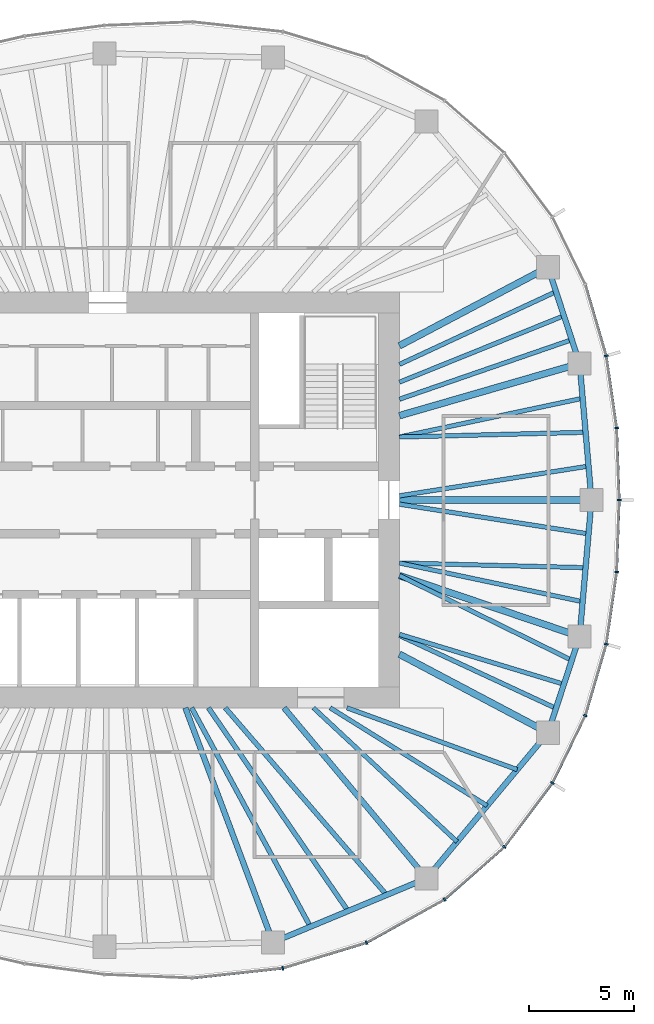
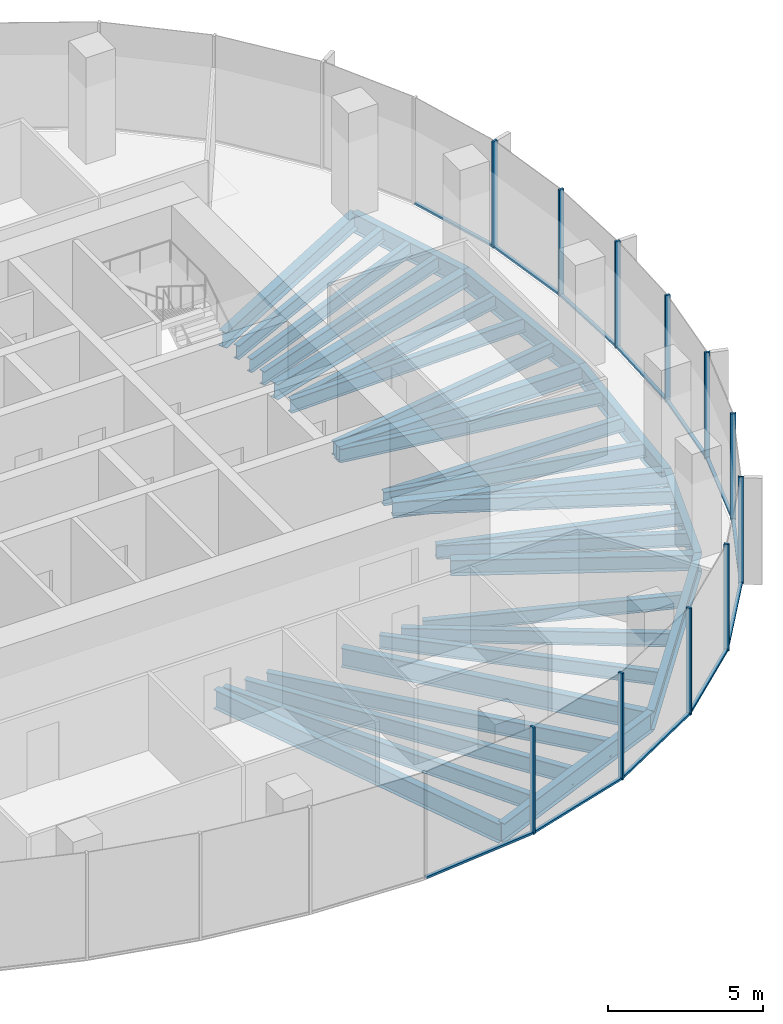
# One storey, part 4 of 11: 31 beams, 23 members, 7 elements without a shape of their own.
"""IFC4 building model written with IfcOpenShell, lengths in metres."""

import ifcopenshell
import ifcopenshell.guid

model = None  # the IFC model being written
_history = None  # IfcOwnerHistory: only IFC2X3 demands one
_inside = {}  # id of a spatial element -> (the spatial element, [elements in it])
_under = {}  # id of a project, library or spatial element -> (it, [spatial elements below it])
_declared = {}  # id of a project -> (the project, [libraries it declares])
_typed = {}  # id of a type object -> (the type object, [elements of that type])
_made_of = {}  # id of a material, layer set ... -> (it, [elements and type objects made of it])


def new_model(schema):
    """Start an empty IFC model of exactly this schema.

    Asked for "IFC4X3", IfcOpenShell would pick the latest addendum, in which some entities
    have other attributes; the version numbers below select the first issue.
    IFC2X3 requires an IfcOwnerHistory on every rooted entity: one is made here for all.
    """
    global model, _history
    if schema == "IFC4X3":
        model = ifcopenshell.file(schema_version=(4, 3, 0, 0))
    else:
        model = ifcopenshell.file(schema=schema)
    _inside.clear()
    _under.clear()
    _declared.clear()
    _typed.clear()
    _made_of.clear()
    _history = None
    if model.schema == "IFC2X3":
        org = make("IfcOrganization", Name="unknown")
        user = make(
            "IfcPersonAndOrganization",
            ThePerson=make("IfcPerson", FamilyName="unknown"),
            TheOrganization=org,
        )
        app = make(
            "IfcApplication",
            ApplicationDeveloper=org,
            Version="unknown",
            ApplicationFullName="unknown",
            ApplicationIdentifier="unknown",
        )
        _history = make(
            "IfcOwnerHistory",
            OwningUser=user,
            OwningApplication=app,
            ChangeAction="ADDED",
            CreationDate=0,
        )
    return model


def make(cls, **values):
    """One entity of the class cls with the attributes given. An attribute that is None is left unset."""
    return model.create_entity(
        cls, **{name: value for name, value in values.items() if value is not None}
    )


def rooted(cls, **values):
    """An entity with a GlobalId (a new one), such as an element, a storey or a relation."""
    return make(cls, GlobalId=ifcopenshell.guid.new(), OwnerHistory=_history, **values)


def si_unit(unit_type, name, prefix=None):
    """IfcSIUnit, for example si_unit("LENGTHUNIT", "METRE", prefix="MILLI")."""
    return make("IfcSIUnit", UnitType=unit_type, Prefix=prefix, Name=name)


def assignment(units):
    """IfcUnitAssignment: the units of a project."""
    return None if units is None else make("IfcUnitAssignment", Units=units)


def point(xyz):
    """IfcCartesianPoint."""
    return None if xyz is None else make("IfcCartesianPoint", Coordinates=xyz)


def direction(xyz):
    """IfcDirection."""
    return None if xyz is None else make("IfcDirection", DirectionRatios=xyz)


def frame(location, z_axis=None, x_axis=None):
    """IfcAxis2Placement3D, a coordinate frame: its origin and axes. An axis left out is left unset."""
    return make(
        "IfcAxis2Placement3D",
        Location=point(location),
        Axis=direction(z_axis),
        RefDirection=direction(x_axis),
    )


def frame_2d(location, x_axis=None):
    """IfcAxis2Placement2D, a coordinate frame in the plane: its origin and x axis."""
    return make(
        "IfcAxis2Placement2D", Location=point(location), RefDirection=direction(x_axis)
    )


def origin():
    """The frame at (0, 0, 0) with its axes left unset."""
    return frame((0.0, 0.0, 0.0))


def origin_2d():
    """The frame at (0, 0) in the plane with its x axis left unset."""
    return frame_2d((0.0, 0.0))


def place(relative_to, where):
    """IfcLocalPlacement: puts the frame where relative to a parent placement (None: the world)."""
    return make(
        "IfcLocalPlacement", PlacementRelTo=relative_to, RelativePlacement=where
    )


def context(
    kind, dimensions, precision=None, world=None, true_north=None, identifier=None
):
    """IfcGeometricRepresentationContext, for example the 3D "Model" context."""
    return make(
        "IfcGeometricRepresentationContext",
        ContextIdentifier=identifier,
        ContextType=kind,
        CoordinateSpaceDimension=dimensions,
        Precision=precision,
        WorldCoordinateSystem=world,
        TrueNorth=true_north,
    )


def subcontext(parent, identifier, kind, view, scale=None):
    """IfcGeometricRepresentationSubContext, for example "Body" below "Model"."""
    return make(
        "IfcGeometricRepresentationSubContext",
        ContextIdentifier=identifier,
        ContextType=kind,
        ParentContext=parent,
        TargetScale=scale,
        TargetView=view,
    )


def project(units=None, contexts=None):
    """IfcProject with its units and contexts."""
    return rooted(
        "IfcProject",
        Name="project",
        RepresentationContexts=contexts,
        UnitsInContext=assignment(units),
    )


def spatial(cls, under=None, at=None, **own):
    """A site, building, storey or space (cls), placed at a placement, below another one or the project."""
    s = rooted(cls, ObjectPlacement=at, **own)
    if under is not None:
        _under.setdefault(under.id(), (under, []))[1].append(s)
    return s


def profile(cls, at=None, kind="AREA", **sizes):
    """A parametric profile (cls). Its sizes go by their IFC names, for example OverallWidth=200.0."""
    return make(cls, ProfileType=kind, Position=at, **sizes)


def rectangle(**sizes):
    """IfcRectangleProfileDef."""
    return profile("IfcRectangleProfileDef", **sizes)


def i_section(**sizes):
    """IfcIShapeProfileDef."""
    return profile("IfcIShapeProfileDef", **sizes)


def extrude(swept, where, along, depth):
    """IfcExtrudedAreaSolid: the profile swept, set in the frame where, extruded along a direction by depth."""
    return make(
        "IfcExtrudedAreaSolid",
        SweptArea=swept,
        Position=where,
        ExtrudedDirection=direction(along),
        Depth=depth,
    )


def shape(context_of_items, identifier, shape_type, items):
    """IfcShapeRepresentation: the items that make up one representation, for example the "Body"."""
    return make(
        "IfcShapeRepresentation",
        ContextOfItems=context_of_items,
        RepresentationIdentifier=identifier,
        RepresentationType=shape_type,
        Items=items,
    )


def material(Name=None, Category=None):
    """IfcMaterial."""
    return make("IfcMaterial", Name=Name, Category=Category)


def material_profile(
    of_material, cross_section, Name=None, Category=None, Priority=None
):
    """IfcMaterialProfile: a cross section and its material."""
    return make(
        "IfcMaterialProfile",
        Name=Name,
        Material=of_material,
        Profile=cross_section,
        Priority=Priority,
        Category=Category,
    )


def profile_set(profiles, Name=None, composite=None):
    """IfcMaterialProfileSet."""
    return make(
        "IfcMaterialProfileSet",
        Name=Name,
        MaterialProfiles=profiles,
        CompositeProfile=composite,
    )


def made_of(thing, what):
    """Note that an element or type object is made of a material, layer set ...; save() writes the relation."""
    if what is not None:
        _made_of.setdefault(what.id(), (what, []))[1].append(thing)
    return thing


def type_object(cls, material=None, **own):
    """A type object (cls), such as IfcWallType, which elements share."""
    return made_of(rooted(cls, **own), material)


def element(
    cls,
    number,
    at=None,
    inside=None,
    cuts=None,
    type_object=None,
    material=None,
    context=None,
    identifier="Body",
    shape_type=None,
    held_by="IfcProductDefinitionShape",
    body=None,
    shapes=None,
    **own,
):
    """One element of the class cls, such as IfcWall. Its Tag is "e" and its number.

    at: its placement. inside: the storey or other place that contains it. cuts: it is an
    opening in that element (IfcRelVoidsElement). A single representation is given by context,
    identifier, shape_type and body (its items); several are given by shapes. held_by: the class
    of the entity that holds the representations. save() writes the other relations.
    """
    e = rooted(cls, Tag="e%d" % number, ObjectPlacement=at, **own)
    if body is not None:
        shapes = [shape(context, identifier, shape_type, body)]
    if shapes is not None:
        e.Representation = make(held_by, Representations=shapes)
    if inside is not None:
        _inside.setdefault(inside.id(), (inside, []))[1].append(e)
    if cuts is not None:
        rooted(
            "IfcRelVoidsElement", RelatingBuildingElement=cuts, RelatedOpeningElement=e
        )
    if type_object is not None:
        _typed.setdefault(type_object.id(), (type_object, []))[1].append(e)
    return made_of(e, material)


def aggregate(whole, parts):
    """IfcRelAggregates: a whole, such as a stair, and the parts it consists of."""
    return rooted("IfcRelAggregates", RelatingObject=whole, RelatedObjects=parts)


def save(model, path):
    """Write the relations noted so far, then the file.

    IfcRelAggregates (storeys below a building ...), IfcRelContainedInSpatialStructure (elements
    in a storey), IfcRelDefinesByType, IfcRelAssociatesMaterial and IfcRelDeclares: one each for
    every whole, place, type object, material and project.
    """
    for whole, parts in _under.values():
        aggregate(whole, parts)
    for where, things in _inside.values():
        rooted(
            "IfcRelContainedInSpatialStructure",
            RelatedElements=things,
            RelatingStructure=where,
        )
    for kind, things in _typed.values():
        rooted("IfcRelDefinesByType", RelatedObjects=things, RelatingType=kind)
    for what, things in _made_of.values():
        rooted("IfcRelAssociatesMaterial", RelatedObjects=things, RelatingMaterial=what)
    for by, libraries in _declared.values():
        rooted("IfcRelDeclares", RelatingContext=by, RelatedDefinitions=libraries)
    model.write(path)


model = new_model("IFC4")

# Units and contexts
model_context = context("Model", 3, precision=1e-05, world=origin(), true_north=direction((0.0, 1.0)))
body_context = subcontext(model_context, "Body", "Model", "MODEL_VIEW")
ifc_project = project(units=[si_unit("LENGTHUNIT", "METRE"), si_unit("AREAUNIT", "SQUARE_METRE"), si_unit("VOLUMEUNIT", "CUBIC_METRE"), si_unit("PLANEANGLEUNIT", "RADIAN"), si_unit("MASSUNIT", "GRAM", prefix="KILO")], contexts=[model_context])

# Site, building, storey
site_placement = place(None, origin())
site = spatial("IfcSite", under=ifc_project, at=site_placement, CompositionType="ELEMENT")
building_placement = place(site_placement, origin())
building = spatial("IfcBuilding", under=site, at=building_placement, Name="Ghaith Harvest Tower", CompositionType="ELEMENT")
storey_placement = place(building_placement, frame((0.0, 0.0, 279.60009765625)))
storey = spatial("IfcBuildingStorey", under=building, at=storey_placement, Name="L62", CompositionType="ELEMENT", Elevation=279.60009765625)

# Curtain wall, members
ifc_material_1 = material(Name="Black anodised aluminium and fritted glass", Category="aluminium")
curtain_wall_type = type_object("IfcCurtainWallType", Name="CW-T CURTAIN WALL", PredefinedType="NOTDEFINED", material=ifc_material_1)
curtain_wall_1_placement = place(storey_placement, origin())
curtain_wall_1 = element("IfcCurtainWall", 1, at=curtain_wall_1_placement, inside=storey, type_object=curtain_wall_type, Name="Curtain wall CW-T bay 01 L62", PredefinedType="NOTDEFINED")
ifc_material_2 = material(Name="Aluminium, black anodised", Category="aluminium")
ifc_material_profile_1 = material_profile(ifc_material_2, rectangle(XDim=0.080078125, YDim=0.179931640625, at=origin_2d()), Name="CW-T MULLION 80x180")
ifc_profile_set_1 = profile_set([ifc_material_profile_1], Name="Aluminium, black anodised")
member_type_1 = type_object("IfcMemberType", Name="CW-T MULLION 80x180", PredefinedType="MULLION", material=ifc_profile_set_1)
member_1_placement = place(storey_placement, frame((24.3701171875, 0.0, 0.0), z_axis=(0.0, 0.0, 1.0), x_axis=(5.2e-11, 1.0, 0.0)))
member_1 = element("IfcMember", 2, at=member_1_placement, type_object=member_type_1, Name="CW-T mullion 1 bay 01 L62", PredefinedType="MULLION", context=body_context, shape_type="SweptSolid", body=[
    extrude(rectangle(XDim=0.080078125, YDim=0.179931640625, at=origin_2d()), origin(), (0.0, 0.0, 1.0), 4.199951171875),
])
member_2_placement = place(storey_placement, frame((24.247802734375, 3.433837890625, 0.0), z_axis=(0.0, 0.0, 1.0), x_axis=(-0.089502202236, 0.995986624305, 0.0)))
member_2 = element("IfcMember", 3, at=member_2_placement, type_object=member_type_1, Name="CW-T mullion 2 bay 01 L62", PredefinedType="MULLION", context=body_context, shape_type="SweptSolid", body=[
    extrude(rectangle(XDim=0.080078125, YDim=0.179931640625, at=origin_2d()), origin(), (0.0, 0.0, 1.0), 4.199951171875),
])

# Curtain wall, member
curtain_wall_2_placement = place(storey_placement, origin())
curtain_wall_2 = element("IfcCurtainWall", 4, at=curtain_wall_2_placement, inside=storey, type_object=curtain_wall_type, Name="Curtain wall CW-T bay 02 L62", PredefinedType="NOTDEFINED")
member_3_placement = place(storey_placement, frame((23.753173828125, 6.865234375, 0.0), z_axis=(0.0, 0.0, 1.0), x_axis=(-0.21340203233, 0.976964468442, 0.0)))
member_3 = element("IfcMember", 5, at=member_3_placement, type_object=member_type_1, Name="CW-T mullion 1 bay 02 L62", PredefinedType="MULLION", context=body_context, shape_type="SweptSolid", body=[
    extrude(rectangle(XDim=0.080078125, YDim=0.179931640625, at=origin_2d()), origin(), (0.0, 0.0, 1.0), 4.199951171875),
])

# Curtain wall, members
curtain_wall_3_placement = place(storey_placement, origin())
curtain_wall_3 = element("IfcCurtainWall", 6, at=curtain_wall_3_placement, inside=storey, type_object=curtain_wall_type, Name="Curtain wall CW-T bay 17 L62", PredefinedType="NOTDEFINED")
member_4_placement = place(storey_placement, frame((8.33984375, -22.308837890625, 0.0), z_axis=(0.0, 0.0, 1.0), x_axis=(0.980000193265, 0.198996535647, 0.0)))
member_4 = element("IfcMember", 7, at=member_4_placement, type_object=member_type_1, Name="CW-T mullion 1 bay 17 L62", PredefinedType="MULLION", context=body_context, shape_type="SweptSolid", body=[
    extrude(rectangle(XDim=0.080078125, YDim=0.179931640625, at=origin_2d()), origin(), (0.0, 0.0, 1.0), 4.199951171875),
])
member_5_placement = place(storey_placement, frame((12.334228515625, -21.091796875, 0.0), z_axis=(0.0, 0.0, 1.0), x_axis=(0.920319269335, 0.391168048914, 0.0)))
member_5 = element("IfcMember", 8, at=member_5_placement, type_object=member_type_1, Name="CW-T mullion 2 bay 17 L62", PredefinedType="MULLION", context=body_context, shape_type="SweptSolid", body=[
    extrude(rectangle(XDim=0.080078125, YDim=0.179931640625, at=origin_2d()), origin(), (0.0, 0.0, 1.0), 4.199951171875),
])

curtain_wall_4_placement = place(storey_placement, origin())
curtain_wall_4 = element("IfcCurtainWall", 9, at=curtain_wall_4_placement, inside=storey, type_object=curtain_wall_type, Name="Curtain wall CW-T bay 18 L62", PredefinedType="NOTDEFINED")
member_6_placement = place(storey_placement, frame((16.04931640625, -19.031982421875, 0.0), z_axis=(0.0, 0.0, 1.0), x_axis=(0.821112053644, 0.570767023715, 0.0)))
member_6 = element("IfcMember", 10, at=member_6_placement, type_object=member_type_1, Name="CW-T mullion 1 bay 18 L62", PredefinedType="MULLION", context=body_context, shape_type="SweptSolid", body=[
    extrude(rectangle(XDim=0.080078125, YDim=0.179931640625, at=origin_2d()), origin(), (0.0, 0.0, 1.0), 4.199951171875),
])
member_7_placement = place(storey_placement, frame((18.901123046875, -16.527099609375, 0.0), z_axis=(0.0, 0.0, 1.0), x_axis=(0.679660897254, 0.733526458108, 0.0)))
member_7 = element("IfcMember", 11, at=member_7_placement, type_object=member_type_1, Name="CW-T mullion 2 bay 18 L62", PredefinedType="MULLION", context=body_context, shape_type="SweptSolid", body=[
    extrude(rectangle(XDim=0.080078125, YDim=0.179931640625, at=origin_2d()), origin(), (0.0, 0.0, 1.0), 4.199951171875),
])

curtain_wall_5_placement = place(storey_placement, origin())
curtain_wall_5 = element("IfcCurtainWall", 12, at=curtain_wall_5_placement, inside=storey, type_object=curtain_wall_type, Name="Curtain wall CW-T bay 19 L62", PredefinedType="NOTDEFINED")
member_8_placement = place(storey_placement, frame((21.18896484375, -13.48486328125, 0.0), z_axis=(0.0, 0.0, 1.0), x_axis=(0.524482238715, 0.85142138878, 0.0)))
member_8 = element("IfcMember", 13, at=member_8_placement, type_object=member_type_1, Name="CW-T mullion 1 bay 19 L62", PredefinedType="MULLION", context=body_context, shape_type="SweptSolid", body=[
    extrude(rectangle(XDim=0.080078125, YDim=0.179931640625, at=origin_2d()), origin(), (0.0, 0.0, 1.0), 4.199951171875),
])
member_9_placement = place(storey_placement, frame((22.754150390625, -10.272216796875, 0.0), z_axis=(0.0, 0.0, 1.0), x_axis=(0.361184273904, 0.932494461262, 0.0)))
member_9 = element("IfcMember", 14, at=member_9_placement, type_object=member_type_1, Name="CW-T mullion 2 bay 19 L62", PredefinedType="MULLION", context=body_context, shape_type="SweptSolid", body=[
    extrude(rectangle(XDim=0.080078125, YDim=0.179931640625, at=origin_2d()), origin(), (0.0, 0.0, 1.0), 4.199951171875),
])

curtain_wall_6_placement = place(storey_placement, origin())
curtain_wall_6 = element("IfcCurtainWall", 15, at=curtain_wall_6_placement, inside=storey, type_object=curtain_wall_type, Name="Curtain wall CW-T bay 20 L62", PredefinedType="NOTDEFINED")
member_10_placement = place(storey_placement, frame((23.753173828125, -6.865234375, 0.0), z_axis=(0.0, 0.0, 1.0), x_axis=(0.213402032501, 0.976964468404, 0.0)))
member_10 = element("IfcMember", 16, at=member_10_placement, type_object=member_type_1, Name="CW-T mullion 1 bay 20 L62", PredefinedType="MULLION", context=body_context, shape_type="SweptSolid", body=[
    extrude(rectangle(XDim=0.080078125, YDim=0.179931640625, at=origin_2d()), origin(), (0.0, 0.0, 1.0), 4.199951171875),
])
member_11_placement = place(storey_placement, frame((24.247802734375, -3.433837890625, 0.0), z_axis=(0.0, 0.0, 1.0), x_axis=(0.089502202305, 0.995986624299, 0.0)))
member_11 = element("IfcMember", 17, at=member_11_placement, type_object=member_type_1, Name="CW-T mullion 2 bay 20 L62", PredefinedType="MULLION", context=body_context, shape_type="SweptSolid", body=[
    extrude(rectangle(XDim=0.080078125, YDim=0.179931640625, at=origin_2d()), origin(), (0.0, 0.0, 1.0), 4.199951171875),
])

# Member
ifc_material_3 = material(Name="Aluminium, black anodised", Category="aluminium")
ifc_material_profile_2 = material_profile(ifc_material_3, rectangle(XDim=0.1201171875, YDim=0.080078125, at=origin_2d()), Name="CW-T TRANSOM 120x80")
ifc_profile_set_2 = profile_set([ifc_material_profile_2], Name="Aluminium, black anodised")
member_type_2 = type_object("IfcMemberType", Name="CW-T TRANSOM 120x80", PredefinedType="USERDEFINED", material=ifc_profile_set_2)
member_12_placement = place(storey_placement, frame((24.36865234375, 0.0400390625, 0.039794921875), z_axis=(-0.035574759537, 0.999367017909, 0.0), x_axis=(-0.999367017909, -0.035574759537, 0.0)))
member_12 = element("IfcMember", 18, at=member_12_placement, type_object=member_type_2, Name="CW-T transom 1 bay 01 L62", ObjectType="TRANSOM", PredefinedType="USERDEFINED", context=body_context, shape_type="SweptSolid", body=[
    extrude(rectangle(XDim=0.1201171875, YDim=0.080078125, at=origin_2d()), origin(), (0.0, 0.0, 1.0), 3.35595703125),
])

member_13_placement = place(storey_placement, frame((24.2421875, 3.473388671875, 0.039794921875), z_axis=(-0.142733224301, 0.989761196795, 0.0), x_axis=(-0.989761196795, -0.142733224301, 0.0)))
member_13 = element("IfcMember", 19, at=member_13_placement, type_object=member_type_2, Name="CW-T transom 2 bay 01 L62", ObjectType="TRANSOM", PredefinedType="USERDEFINED", context=body_context, shape_type="SweptSolid", body=[
    extrude(rectangle(XDim=0.1201171875, YDim=0.080078125, at=origin_2d()), origin(), (0.0, 0.0, 1.0), 3.38671875),
])

aggregate(curtain_wall_1, [member_1, member_12, member_2, member_13])

member_14_placement = place(storey_placement, frame((23.741943359375, 6.903564453125, 0.039794921875), z_axis=(-0.281385475469, 0.95959481772, 0.0), x_axis=(-0.95959481772, -0.281385475469, 0.0)))
member_14 = element("IfcMember", 20, at=member_14_placement, type_object=member_type_2, Name="CW-T transom 1 bay 02 L62", ObjectType="TRANSOM", PredefinedType="USERDEFINED", context=body_context, shape_type="SweptSolid", body=[
    extrude(rectangle(XDim=0.1201171875, YDim=0.080078125, at=origin_2d()), origin(), (0.0, 0.0, 1.0), 3.470458984375),
])

aggregate(curtain_wall_2, [member_3, member_14])

# Curtain wall, member
curtain_wall_7_placement = place(storey_placement, origin())
curtain_wall_7 = element("IfcCurtainWall", 21, at=curtain_wall_7_placement, inside=storey, type_object=curtain_wall_type, Name="Curtain wall CW-T bay 16 L62", PredefinedType="NOTDEFINED")
member_15_placement = place(storey_placement, frame((4.077392578125, -22.772216796875, 0.039794921875), z_axis=(0.994144463069, 0.108059180768, 0.0), x_axis=(-0.108059180768, 0.994144463069, 0.0)))
member_15 = element("IfcMember", 22, at=member_15_placement, type_object=member_type_2, Name="CW-T transom 2 bay 16 L62", ObjectType="TRANSOM", PredefinedType="USERDEFINED", context=body_context, shape_type="SweptSolid", body=[
    extrude(rectangle(XDim=0.1201171875, YDim=0.080078125, at=origin_2d()), origin(), (0.0, 0.0, 1.0), 4.24755859375),
])
aggregate(curtain_wall_7, [member_15])

# Member
member_16_placement = place(storey_placement, frame((8.378173828125, -22.297119140625, 0.039794921875), z_axis=(0.956593713342, 0.291424891858, 0.0), x_axis=(-0.291424891858, 0.956593713342, 0.0)))
member_16 = element("IfcMember", 23, at=member_16_placement, type_object=member_type_2, Name="CW-T transom 1 bay 17 L62", ObjectType="TRANSOM", PredefinedType="USERDEFINED", context=body_context, shape_type="SweptSolid", body=[
    extrude(rectangle(XDim=0.1201171875, YDim=0.080078125, at=origin_2d()), origin(), (0.0, 0.0, 1.0), 4.095703125),
])

member_17_placement = place(storey_placement, frame((12.369384765625, -21.072509765625, 0.039794921875), z_axis=(0.874552130553, 0.484931511603, 0.0), x_axis=(-0.484931511603, 0.874552130553, 0.0)))
member_17 = element("IfcMember", 24, at=member_17_placement, type_object=member_type_2, Name="CW-T transom 2 bay 17 L62", ObjectType="TRANSOM", PredefinedType="USERDEFINED", context=body_context, shape_type="SweptSolid", body=[
    extrude(rectangle(XDim=0.1201171875, YDim=0.080078125, at=origin_2d()), origin(), (0.0, 0.0, 1.0), 4.16748046875),
])

aggregate(curtain_wall_3, [member_4, member_16, member_5, member_17])

member_18_placement = place(storey_placement, frame((16.079345703125, -19.005615234375, 0.039794921875), z_axis=(0.751325799984, 0.659931467865, 0.0), x_axis=(-0.659931467865, 0.751325799984, 0.0)))
member_18 = element("IfcMember", 25, at=member_18_placement, type_object=member_type_2, Name="CW-T transom 1 bay 18 L62", ObjectType="TRANSOM", PredefinedType="USERDEFINED", context=body_context, shape_type="SweptSolid", body=[
    extrude(rectangle(XDim=0.1201171875, YDim=0.080078125, at=origin_2d()), origin(), (0.0, 0.0, 1.0), 3.7158203125),
])

member_19_placement = place(storey_placement, frame((18.925048828125, -16.4951171875, 0.039794921875), z_axis=(0.601079103045, 0.799189534392, 0.0), x_axis=(-0.799189534392, 0.601079103045, 0.0)))
member_19 = element("IfcMember", 26, at=member_19_placement, type_object=member_type_2, Name="CW-T transom 2 bay 18 L62", ObjectType="TRANSOM", PredefinedType="USERDEFINED", context=body_context, shape_type="SweptSolid", body=[
    extrude(rectangle(XDim=0.1201171875, YDim=0.080078125, at=origin_2d()), origin(), (0.0, 0.0, 1.0), 3.7265625),
])

aggregate(curtain_wall_4, [member_6, member_18, member_7, member_19])

member_20_placement = place(storey_placement, frame((21.20654296875, -13.448974609375, 0.039794921875), z_axis=(0.437965078712, 0.898991985408, 0.0), x_axis=(-0.898991985408, 0.437965078712, 0.0)))
member_20 = element("IfcMember", 27, at=member_20_placement, type_object=member_type_2, Name="CW-T transom 1 bay 19 L62", ObjectType="TRANSOM", PredefinedType="USERDEFINED", context=body_context, shape_type="SweptSolid", body=[
    extrude(rectangle(XDim=0.1201171875, YDim=0.080078125, at=origin_2d()), origin(), (0.0, 0.0, 1.0), 3.493408203125),
])

member_21_placement = place(storey_placement, frame((22.765380859375, -10.23388671875, 0.039794921875), z_axis=(0.281385475469, 0.95959481772, 0.0), x_axis=(-0.95959481772, 0.281385475469, 0.0)))
member_21 = element("IfcMember", 28, at=member_21_placement, type_object=member_type_2, Name="CW-T transom 2 bay 19 L62", ObjectType="TRANSOM", PredefinedType="USERDEFINED", context=body_context, shape_type="SweptSolid", body=[
    extrude(rectangle(XDim=0.1201171875, YDim=0.080078125, at=origin_2d()), origin(), (0.0, 0.0, 1.0), 3.470458984375),
])

aggregate(curtain_wall_5, [member_8, member_20, member_9, member_21])

member_22_placement = place(storey_placement, frame((23.7587890625, -6.825439453125, 0.039794921875), z_axis=(0.142733224301, 0.989761196795, 0.0), x_axis=(-0.989761196795, 0.142733224301, 0.0)))
member_22 = element("IfcMember", 29, at=member_22_placement, type_object=member_type_2, Name="CW-T transom 1 bay 20 L62", ObjectType="TRANSOM", PredefinedType="USERDEFINED", context=body_context, shape_type="SweptSolid", body=[
    extrude(rectangle(XDim=0.1201171875, YDim=0.080078125, at=origin_2d()), origin(), (0.0, 0.0, 1.0), 3.38671875),
])

member_23_placement = place(storey_placement, frame((24.249267578125, -3.393798828125, 0.039794921875), z_axis=(0.035574759537, 0.999367017909, 0.0), x_axis=(-0.999367017909, 0.035574759537, 0.0)))
member_23 = element("IfcMember", 30, at=member_23_placement, type_object=member_type_2, Name="CW-T transom 2 bay 20 L62", ObjectType="TRANSOM", PredefinedType="USERDEFINED", context=body_context, shape_type="SweptSolid", body=[
    extrude(rectangle(XDim=0.1201171875, YDim=0.080078125, at=origin_2d()), origin(), (0.0, 0.0, 1.0), 3.35595703125),
])

aggregate(curtain_wall_6, [member_10, member_22, member_11, member_23])

# Beams
ifc_material_4 = material(Name="Steel ASTM A992 Grade 50", Category="steel")
ifc_material_profile_3 = material_profile(ifc_material_4, i_section(OverallWidth=0.26611328125, OverallDepth=0.758056640625, WebThickness=0.013916015625, FlangeThickness=0.019287109375, at=origin_2d()), Name="W760X161")
ifc_profile_set_3 = profile_set([ifc_material_profile_3], Name="Steel ASTM A992 Grade 50")
beam_type_1 = type_object("IfcBeamType", Name="E760-161 W760X161", PredefinedType="SPANDREL", material=ifc_profile_set_3)
beam_1_placement = place(storey_placement, frame((23.050048828125, 0.0, -0.549072265625), z_axis=(-0.086600547306, 0.996243115513, 0.0), x_axis=(-0.996243115513, -0.086600547306, 0.0)))
element("IfcBeam", 31, at=beam_1_placement, inside=storey, type_object=beam_type_1, Name="Edge beam E01 L62", PredefinedType="SPANDREL", context=body_context, shape_type="SweptSolid", body=[
    extrude(i_section(OverallWidth=0.26611328125, OverallDepth=0.758056640625, WebThickness=0.013916015625, FlangeThickness=0.019287109375, at=origin_2d()), origin(), (0.0, 0.0, 1.0), 6.5234375),
])
beam_2_placement = place(storey_placement, frame((22.485107421875, 6.4990234375, -0.549072265625), z_axis=(-0.312206727278, 0.950014189074, 0.0), x_axis=(-0.950014189074, -0.312206727278, 0.0)))
element("IfcBeam", 32, at=beam_2_placement, inside=storey, type_object=beam_type_1, Name="Edge beam E02 L62", PredefinedType="SPANDREL", context=body_context, shape_type="SweptSolid", body=[
    extrude(i_section(OverallWidth=0.26611328125, OverallDepth=0.758056640625, WebThickness=0.013916015625, FlangeThickness=0.019287109375, at=origin_2d()), origin(), (0.0, 0.0, 1.0), 4.830322265625),
])
beam_3_placement = place(storey_placement, frame((7.8779296875, -21.072021484375, -0.549072265625), z_axis=(0.923119729219, 0.384512633766, 0.0), x_axis=(-0.384512633766, 0.923119729219, 0.0)))
element("IfcBeam", 33, at=beam_3_placement, inside=storey, type_object=beam_type_1, Name="Edge beam E17 L62", PredefinedType="SPANDREL", context=body_context, shape_type="SweptSolid", body=[
    extrude(i_section(OverallWidth=0.26611328125, OverallDepth=0.758056640625, WebThickness=0.013916015625, FlangeThickness=0.019287109375, at=origin_2d()), origin(), (0.0, 0.0, 1.0), 7.9296875),
])
beam_4_placement = place(storey_placement, frame((15.197998046875, -18.02294921875, -0.549072265625), z_axis=(0.640173759088, 0.76823014662, 0.0), x_axis=(-0.76823014662, 0.640173759088, 0.0)))
element("IfcBeam", 34, at=beam_4_placement, inside=storey, type_object=beam_type_1, Name="Edge beam E18 L62", PredefinedType="SPANDREL", context=body_context, shape_type="SweptSolid", body=[
    extrude(i_section(OverallWidth=0.26611328125, OverallDepth=0.758056640625, WebThickness=0.013916015625, FlangeThickness=0.019287109375, at=origin_2d()), origin(), (0.0, 0.0, 1.0), 9.02734375),
])
beam_5_placement = place(storey_placement, frame((20.97705078125, -11.087890625, -0.549072265625), z_axis=(0.312206727278, 0.950014189074, 0.0), x_axis=(-0.950014189074, 0.312206727278, 0.0)))
element("IfcBeam", 35, at=beam_5_placement, inside=storey, type_object=beam_type_1, Name="Edge beam E19 L62", PredefinedType="SPANDREL", context=body_context, shape_type="SweptSolid", body=[
    extrude(i_section(OverallWidth=0.26611328125, OverallDepth=0.758056640625, WebThickness=0.013916015625, FlangeThickness=0.019287109375, at=origin_2d()), origin(), (0.0, 0.0, 1.0), 4.830322265625),
])
beam_6_placement = place(storey_placement, frame((22.485107421875, -6.4990234375, -0.549072265625), z_axis=(0.086600547306, 0.996243115513, 0.0), x_axis=(-0.996243115513, 0.086600547306, 0.0)))
element("IfcBeam", 36, at=beam_6_placement, inside=storey, type_object=beam_type_1, Name="Edge beam E20 L62", PredefinedType="SPANDREL", context=body_context, shape_type="SweptSolid", body=[
    extrude(i_section(OverallWidth=0.26611328125, OverallDepth=0.758056640625, WebThickness=0.013916015625, FlangeThickness=0.019287109375, at=origin_2d()), origin(), (0.0, 0.0, 1.0), 6.5234375),
])
ifc_material_5 = material(Name="Steel ASTM A992 Grade 50", Category="steel")
ifc_material_profile_4 = material_profile(ifc_material_5, i_section(OverallWidth=0.323974609375, OverallDepth=0.611083984375, WebThickness=0.0126953125, FlangeThickness=0.01904296875, at=origin_2d()), Name="W610X155")
ifc_profile_set_4 = profile_set([ifc_material_profile_4], Name="Steel ASTM A992 Grade 50")
beam_type_2 = type_object("IfcBeamType", Name="G610-155 W610X155", PredefinedType="BEAM", material=ifc_profile_set_4)
beam_7_placement = place(storey_placement, frame((13.89990234375, 0.0, -0.4755859375), z_axis=(1.0, 0.0, 0.0), x_axis=(0.0, 1.0, 0.0)))
element("IfcBeam", 37, at=beam_7_placement, inside=storey, type_object=beam_type_2, Name="Radial girder G01 L62", PredefinedType="BEAM", context=body_context, shape_type="SweptSolid", body=[
    extrude(i_section(OverallWidth=0.323974609375, OverallDepth=0.611083984375, WebThickness=0.0126953125, FlangeThickness=0.01904296875, at=origin_2d()), origin(), (0.0, 0.0, 1.0), 9.150146484375),
])
beam_8_placement = place(storey_placement, frame((13.89990234375, 4.017333984375, -0.4755859375), z_axis=(0.960668846071, 0.27769653975, 0.0), x_axis=(-0.27769653975, 0.960668846071, 0.0)))
element("IfcBeam", 38, at=beam_8_placement, inside=storey, type_object=beam_type_2, Name="Radial girder G02 L62", PredefinedType="BEAM", context=body_context, shape_type="SweptSolid", body=[
    extrude(i_section(OverallWidth=0.323974609375, OverallDepth=0.611083984375, WebThickness=0.0126953125, FlangeThickness=0.01904296875, at=origin_2d()), origin(), (0.0, 0.0, 1.0), 8.936767578125),
])
for number, where, z_axis, x_axis, name in (
    (39, (13.89990234375, 7.34716796875, -0.4755859375), (0.884097820364, 0.467301876764, 0.0), (-0.467301876764, 0.884097820364, 0.0), "Radial girder G03 L62"),
    (40, (13.89990234375, -7.34716796875, -0.4755859375), (0.884097820364, -0.467301876764, 0.0), (0.467301876764, 0.884097820364, 0.0), "Radial girder G19 L62"),
):
    element("IfcBeam", number, at=place(storey_placement, frame(where, z_axis=z_axis, x_axis=x_axis)), inside=storey, type_object=beam_type_2, Name=name, PredefinedType="BEAM", context=body_context, shape_type="SweptSolid", body=[
        extrude(i_section(OverallWidth=0.323974609375, OverallDepth=0.611083984375, WebThickness=0.0126953125, FlangeThickness=0.01904296875, at=origin_2d()), origin(), (0.0, 0.0, 1.0), 8.0048828125),
    ])
beam_9_placement = place(storey_placement, frame((13.89990234375, -3.60009765625, -0.4755859375), z_axis=(0.947444819082, -0.319919231673, 0.0), x_axis=(0.319919231673, 0.947444819082, 0.0)))
element("IfcBeam", 41, at=beam_9_placement, inside=storey, type_object=beam_type_2, Name="Radial girder G20 L62", PredefinedType="BEAM", context=body_context, shape_type="SweptSolid", body=[
    extrude(i_section(OverallWidth=0.323974609375, OverallDepth=0.611083984375, WebThickness=0.0126953125, FlangeThickness=0.01904296875, at=origin_2d()), origin(), (0.0, 0.0, 1.0), 9.0615234375),
])
ifc_material_6 = material(Name="Steel ASTM A992 Grade 50", Category="steel")
ifc_material_profile_5 = material_profile(ifc_material_6, i_section(OverallWidth=0.26611328125, OverallDepth=0.758056640625, WebThickness=0.013916015625, FlangeThickness=0.019287109375, at=origin_2d()), Name="W760X161")
ifc_profile_set_5 = profile_set([ifc_material_profile_5], Name="Steel ASTM A992 Grade 50")
beam_type_3 = type_object("IfcBeamType", Name="G760-161 W760X161", PredefinedType="BEAM", material=ifc_profile_set_5)
beam_10_placement = place(storey_placement, frame((3.700927734375, -9.89990234375, -0.549072265625), z_axis=(0.350201332531, -0.936674450753, 0.0), x_axis=(0.936674450753, 0.350201332531, 0.0)))
element("IfcBeam", 42, at=beam_10_placement, inside=storey, type_object=beam_type_3, Name="Radial girder G17 L62", PredefinedType="BEAM", context=body_context, shape_type="SweptSolid", body=[
    extrude(i_section(OverallWidth=0.26611328125, OverallDepth=0.758056640625, WebThickness=0.013916015625, FlangeThickness=0.019287109375, at=origin_2d()), origin(), (0.0, 0.0, 1.0), 11.927490234375),
])
beam_11_placement = place(storey_placement, frame((8.39990234375, -9.89990234375, -0.549072265625), z_axis=(0.641792628883, -0.766878231215, 0.0), x_axis=(0.766878231215, 0.641792628883, 0.0)))
element("IfcBeam", 43, at=beam_11_placement, inside=storey, type_object=beam_type_3, Name="Radial girder G18 L62", PredefinedType="BEAM", context=body_context, shape_type="SweptSolid", body=[
    extrude(i_section(OverallWidth=0.26611328125, OverallDepth=0.758056640625, WebThickness=0.013916015625, FlangeThickness=0.019287109375, at=origin_2d()), origin(), (0.0, 0.0, 1.0), 10.59228515625),
])
ifc_material_7 = material(Name="Steel ASTM A992 Grade 50", Category="steel")
ifc_material_profile_6 = material_profile(ifc_material_7, i_section(OverallWidth=0.2109375, OverallDepth=0.5390625, WebThickness=0.01171875, FlangeThickness=0.018798828125, at=origin_2d()), Name="W530X109")
ifc_profile_set_6 = profile_set([ifc_material_profile_6], Name="Steel ASTM A992 Grade 50")
beam_type_4 = type_object("IfcBeamType", Name="J530-109 W530X109", PredefinedType="JOIST", material=ifc_profile_set_6)
beam_12_placement = place(storey_placement, frame((13.89990234375, 0.199951171875, -0.439697265625), z_axis=(0.987906665526, 0.155049734628, 0.0), x_axis=(-0.155049734628, 0.987906665526, 0.0)))
element("IfcBeam", 44, at=beam_12_placement, inside=storey, type_object=beam_type_4, Name="Joist J01.1 L62", PredefinedType="JOIST", context=body_context, shape_type="SweptSolid", body=[
    extrude(i_section(OverallWidth=0.2109375, OverallDepth=0.5390625, WebThickness=0.01171875, FlangeThickness=0.018798828125, at=origin_2d()), origin(), (0.0, 0.0, 1.0), 9.1201171875),
])
beam_13_placement = place(storey_placement, frame((13.89990234375, 3.0, -0.439697265625), z_axis=(0.999679533859, 0.025314612071, 0.0), x_axis=(-0.025314612071, 0.999679533859, 0.0)))
element("IfcBeam", 45, at=beam_13_placement, inside=storey, type_object=beam_type_4, Name="Joist J01.2 L62", PredefinedType="JOIST", context=body_context, shape_type="SweptSolid", body=[
    extrude(i_section(OverallWidth=0.2109375, OverallDepth=0.5390625, WebThickness=0.01171875, FlangeThickness=0.018798828125, at=origin_2d()), origin(), (0.0, 0.0, 1.0), 8.872802734375),
])
beam_14_placement = place(storey_placement, frame((13.89990234375, 3.0, -0.439697265625), z_axis=(0.97833382446, 0.207033639579, 0.0), x_axis=(-0.207033639579, 0.97833382446, 0.0)))
element("IfcBeam", 46, at=beam_14_placement, inside=storey, type_object=beam_type_4, Name="Joist J01.3 L62", PredefinedType="JOIST", context=body_context, shape_type="SweptSolid", body=[
    extrude(i_section(OverallWidth=0.2109375, OverallDepth=0.5390625, WebThickness=0.01171875, FlangeThickness=0.018798828125, at=origin_2d()), origin(), (0.0, 0.0, 1.0), 8.922119140625),
])
beam_15_placement = place(storey_placement, frame((13.89990234375, 4.801025390625, -0.439697265625), z_axis=(0.945204712775, 0.326478254937, 0.0), x_axis=(-0.326478254937, 0.945204712775, 0.0)))
element("IfcBeam", 47, at=beam_15_placement, inside=storey, type_object=beam_type_4, Name="Joist J02.1 L62", PredefinedType="JOIST", context=body_context, shape_type="SweptSolid", body=[
    extrude(i_section(OverallWidth=0.2109375, OverallDepth=0.5390625, WebThickness=0.01171875, FlangeThickness=0.018798828125, at=origin_2d()), origin(), (0.0, 0.0, 1.0), 8.687255859375),
])
beam_16_placement = place(storey_placement, frame((13.89990234375, 5.61328125, -0.439697265625), z_axis=(0.927254375113, 0.374432001615, 0.0), x_axis=(-0.374432001615, 0.927254375113, 0.0)))
element("IfcBeam", 48, at=beam_16_placement, inside=storey, type_object=beam_type_4, Name="Joist J02.2 L62", PredefinedType="JOIST", context=body_context, shape_type="SweptSolid", body=[
    extrude(i_section(OverallWidth=0.2109375, OverallDepth=0.5390625, WebThickness=0.01171875, FlangeThickness=0.018798828125, at=origin_2d()), origin(), (0.0, 0.0, 1.0), 8.450927734375),
])
beam_17_placement = place(storey_placement, frame((13.89990234375, 6.45947265625, -0.439697265625), z_axis=(0.906859906661, 0.42143221245, 0.0), x_axis=(-0.42143221245, 0.906859906661, 0.0)))
element("IfcBeam", 49, at=beam_17_placement, inside=storey, type_object=beam_type_4, Name="Joist J02.3 L62", PredefinedType="JOIST", context=body_context, shape_type="SweptSolid", body=[
    extrude(i_section(OverallWidth=0.2109375, OverallDepth=0.5390625, WebThickness=0.01171875, FlangeThickness=0.018798828125, at=origin_2d()), origin(), (0.0, 0.0, 1.0), 8.22509765625),
])
beam_18_placement = place(storey_placement, frame((9.800048828125, -9.89990234375, -0.439697265625), z_axis=(0.73164904944, -0.681681500742, 0.0), x_axis=(0.681681500742, 0.73164904944, 0.0)))
element("IfcBeam", 50, at=beam_18_placement, inside=storey, type_object=beam_type_4, Name="Joist J18.1 L62", PredefinedType="JOIST", context=body_context, shape_type="SweptSolid", body=[
    extrude(i_section(OverallWidth=0.2109375, OverallDepth=0.5390625, WebThickness=0.01171875, FlangeThickness=0.018798828125, at=origin_2d()), origin(), (0.0, 0.0, 1.0), 9.361572265625),
])
beam_19_placement = place(storey_placement, frame((10.60009765625, -9.89990234375, -0.439697265625), z_axis=(0.84837619421, -0.52939383553, 0.0), x_axis=(0.52939383553, 0.84837619421, 0.0)))
element("IfcBeam", 51, at=beam_19_placement, inside=storey, type_object=beam_type_4, Name="Joist J18.2 L62", PredefinedType="JOIST", context=body_context, shape_type="SweptSolid", body=[
    extrude(i_section(OverallWidth=0.2109375, OverallDepth=0.5390625, WebThickness=0.01171875, FlangeThickness=0.018798828125, at=origin_2d()), origin(), (0.0, 0.0, 1.0), 8.814697265625),
])
beam_20_placement = place(storey_placement, frame((11.39990234375, -9.89990234375, -0.439697265625), z_axis=(0.939925501564, -0.341379629605, 0.0), x_axis=(0.341379629605, 0.939925501564, 0.0)))
element("IfcBeam", 52, at=beam_20_placement, inside=storey, type_object=beam_type_4, Name="Joist J18.3 L62", PredefinedType="JOIST", context=body_context, shape_type="SweptSolid", body=[
    extrude(i_section(OverallWidth=0.2109375, OverallDepth=0.5390625, WebThickness=0.01171875, FlangeThickness=0.018798828125, at=origin_2d()), origin(), (0.0, 0.0, 1.0), 8.630615234375),
])
beam_21_placement = place(storey_placement, frame((13.89990234375, -6.45947265625, -0.439697265625), z_axis=(0.906859906661, -0.42143221245, 0.0), x_axis=(0.42143221245, 0.906859906661, 0.0)))
element("IfcBeam", 53, at=beam_21_placement, inside=storey, type_object=beam_type_4, Name="Joist J19.1 L62", PredefinedType="JOIST", context=body_context, shape_type="SweptSolid", body=[
    extrude(i_section(OverallWidth=0.2109375, OverallDepth=0.5390625, WebThickness=0.01171875, FlangeThickness=0.018798828125, at=origin_2d()), origin(), (0.0, 0.0, 1.0), 8.22509765625),
])
beam_22_placement = place(storey_placement, frame((13.89990234375, -6.39990234375, -0.439697265625), z_axis=(0.9569197823, -0.290352424208, 0.0), x_axis=(0.290352424208, 0.9569197823, 0.0)))
element("IfcBeam", 54, at=beam_22_placement, inside=storey, type_object=beam_type_4, Name="Joist J19.2 L62", PredefinedType="JOIST", context=body_context, shape_type="SweptSolid", body=[
    extrude(i_section(OverallWidth=0.2109375, OverallDepth=0.5390625, WebThickness=0.01171875, FlangeThickness=0.018798828125, at=origin_2d()), origin(), (0.0, 0.0, 1.0), 8.18896484375),
])
beam_23_placement = place(storey_placement, frame((13.89990234375, -3.60009765625, -0.439697265625), z_axis=(0.89740088778, -0.441216099674, 0.0), x_axis=(0.441216099674, 0.89740088778, 0.0)))
element("IfcBeam", 55, at=beam_23_placement, inside=storey, type_object=beam_type_4, Name="Joist J19.3 L62", PredefinedType="JOIST", context=body_context, shape_type="SweptSolid", body=[
    extrude(i_section(OverallWidth=0.2109375, OverallDepth=0.5390625, WebThickness=0.01171875, FlangeThickness=0.018798828125, at=origin_2d()), origin(), (0.0, 0.0, 1.0), 9.14990234375),
])
beam_24_placement = place(storey_placement, frame((13.89990234375, -3.0, -0.439697265625), z_axis=(0.97833382446, -0.207033639579, 0.0), x_axis=(0.207033639579, 0.97833382446, 0.0)))
element("IfcBeam", 56, at=beam_24_placement, inside=storey, type_object=beam_type_4, Name="Joist J20.1 L62", PredefinedType="JOIST", context=body_context, shape_type="SweptSolid", body=[
    extrude(i_section(OverallWidth=0.2109375, OverallDepth=0.5390625, WebThickness=0.01171875, FlangeThickness=0.018798828125, at=origin_2d()), origin(), (0.0, 0.0, 1.0), 8.922119140625),
])
beam_25_placement = place(storey_placement, frame((13.89990234375, -3.0, -0.439697265625), z_axis=(0.999679533859, -0.025314612071, 0.0), x_axis=(0.025314612071, 0.999679533859, 0.0)))
element("IfcBeam", 57, at=beam_25_placement, inside=storey, type_object=beam_type_4, Name="Joist J20.2 L62", PredefinedType="JOIST", context=body_context, shape_type="SweptSolid", body=[
    extrude(i_section(OverallWidth=0.2109375, OverallDepth=0.5390625, WebThickness=0.01171875, FlangeThickness=0.018798828125, at=origin_2d()), origin(), (0.0, 0.0, 1.0), 8.872802734375),
])
beam_26_placement = place(storey_placement, frame((13.89990234375, -0.199951171875, -0.439697265625), z_axis=(0.987906665526, -0.155049734628, 0.0), x_axis=(0.155049734628, 0.987906665526, 0.0)))
element("IfcBeam", 58, at=beam_26_placement, inside=storey, type_object=beam_type_4, Name="Joist J20.3 L62", PredefinedType="JOIST", context=body_context, shape_type="SweptSolid", body=[
    extrude(i_section(OverallWidth=0.2109375, OverallDepth=0.5390625, WebThickness=0.01171875, FlangeThickness=0.018798828125, at=origin_2d()), origin(), (0.0, 0.0, 1.0), 9.1201171875),
])
ifc_material_8 = material(Name="Steel ASTM A992 Grade 50", Category="steel")
ifc_material_profile_7 = material_profile(ifc_material_8, i_section(OverallWidth=0.22998046875, OverallDepth=0.616943359375, WebThickness=0.01318359375, FlangeThickness=0.022216796875, at=origin_2d()), Name="W610X140")
ifc_profile_set_7 = profile_set([ifc_material_profile_7], Name="Steel ASTM A992 Grade 50")
beam_type_5 = type_object("IfcBeamType", Name="J610-140 W610X140", PredefinedType="JOIST", material=ifc_profile_set_7)
beam_27_placement = place(storey_placement, frame((4.0, -9.89990234375, -0.478515625), z_axis=(0.476764926531, -0.879030832696, 0.0), x_axis=(0.879030832696, 0.476764926531, 0.0)))
element("IfcBeam", 59, at=beam_27_placement, inside=storey, type_object=beam_type_5, Name="Joist J17.1 L62", PredefinedType="JOIST", context=body_context, shape_type="SweptSolid", body=[
    extrude(i_section(OverallWidth=0.22998046875, OverallDepth=0.616943359375, WebThickness=0.01318359375, FlangeThickness=0.022216796875, at=origin_2d()), origin(), (0.0, 0.0, 1.0), 11.866455078125),
])
beam_28_placement = place(storey_placement, frame((4.800048828125, -9.89990234375, -0.478515625), z_axis=(0.566228035119, -0.824248634967, 0.0), x_axis=(0.824248634967, 0.566228035119, 0.0)))
element("IfcBeam", 60, at=beam_28_placement, inside=storey, type_object=beam_type_5, Name="Joist J17.2 L62", PredefinedType="JOIST", context=body_context, shape_type="SweptSolid", body=[
    extrude(i_section(OverallWidth=0.22998046875, OverallDepth=0.616943359375, WebThickness=0.01318359375, FlangeThickness=0.022216796875, at=origin_2d()), origin(), (0.0, 0.0, 1.0), 11.748046875),
])
beam_29_placement = place(storey_placement, frame((5.60009765625, -9.89990234375, -0.478515625), z_axis=(0.652992938501, -0.757363995888, 0.0), x_axis=(0.757363995888, 0.652992938501, 0.0)))
element("IfcBeam", 61, at=beam_29_placement, inside=storey, type_object=beam_type_5, Name="Joist J17.3 L62", PredefinedType="JOIST", context=body_context, shape_type="SweptSolid", body=[
    extrude(i_section(OverallWidth=0.22998046875, OverallDepth=0.616943359375, WebThickness=0.01318359375, FlangeThickness=0.022216796875, at=origin_2d()), origin(), (0.0, 0.0, 1.0), 11.775390625),
])

save(model, "model.ifc")
